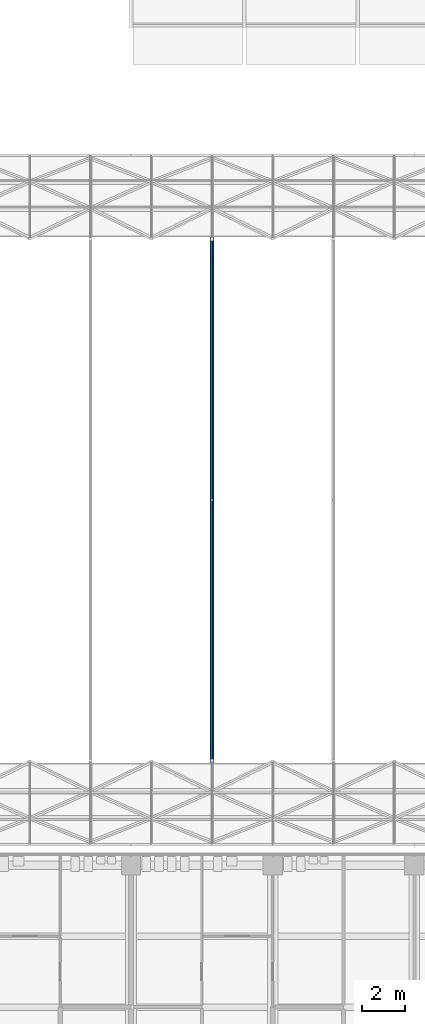
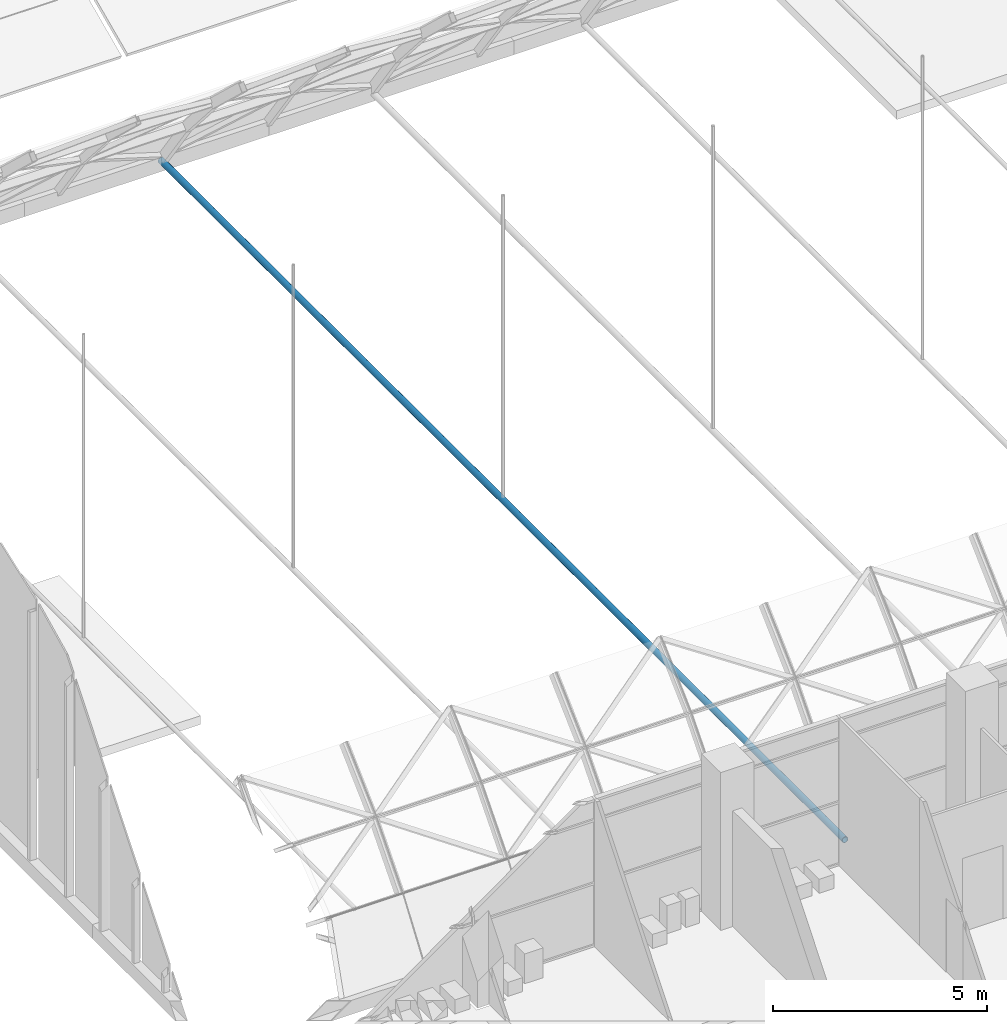
# One storey, part 23 of 109: 1 member.
"""IFC4 building model written with IfcOpenShell, lengths in metres."""

from ifc_helpers import new_model, si_unit, direction, frame, origin, origin_2d, place, context, subcontext, project, spatial, hollow_circle, extrude, material, material_profile, profile_set, type_object, element, save


model = new_model("IFC4")

# Units and contexts
model_context = context("Model", 3, precision=1e-05, world=origin(), true_north=direction((0.0, 1.0)))
body_context = subcontext(model_context, "Body", "Model", "MODEL_VIEW")
ifc_project = project(units=[si_unit("LENGTHUNIT", "METRE"), si_unit("AREAUNIT", "SQUARE_METRE"), si_unit("VOLUMEUNIT", "CUBIC_METRE"), si_unit("PLANEANGLEUNIT", "RADIAN"), si_unit("MASSUNIT", "GRAM", prefix="KILO")], contexts=[model_context])

# Site, building, storey
site_placement = place(None, origin())
site = spatial("IfcSite", under=ifc_project, at=site_placement, CompositionType="ELEMENT")
building_placement = place(site_placement, origin())
building = spatial("IfcBuilding", under=site, at=building_placement, Name="Lantern Court Research Institute", CompositionType="ELEMENT")
storey_placement = place(building_placement, frame((0.0, 0.0, 14.39990234375)))
storey = spatial("IfcBuildingStorey", under=building, at=storey_placement, Name="L03", CompositionType="ELEMENT", Elevation=14.39990234375)

# Member
ifc_material = material(Name="Structural steel S355", Category="steel")
ifc_material_profile = material_profile(ifc_material, hollow_circle(Radius=0.084228515625, WallThickness=0.010009765625, at=origin_2d()), Name="Gridshell central tie CHS 168.3 x 10")
ifc_profile_set = profile_set([ifc_material_profile], Name="Structural steel S355")
member_type = type_object("IfcMemberType", Name="Gridshell central tie CHS 168.3 x 10", PredefinedType="MEMBER", material=ifc_profile_set)
member_placement = place(storey_placement, frame((56.571533203125, 24.14990234375, 0.2001953125), z_axis=(0.0, 1.0, 0.0), x_axis=(-1.0, 0.0, 0.0)))
element("IfcMember", 1, at=member_placement, inside=storey, type_object=member_type, Name="Gridshell tie", PredefinedType="MEMBER", context=body_context, shape_type="SweptSolid", body=[
    extrude(hollow_circle(Radius=0.084228515625, WallThickness=0.010009765625, at=origin_2d()), origin(), (0.0, 0.0, 1.0), 31.9501953125),
])

save(model, "model.ifc")
